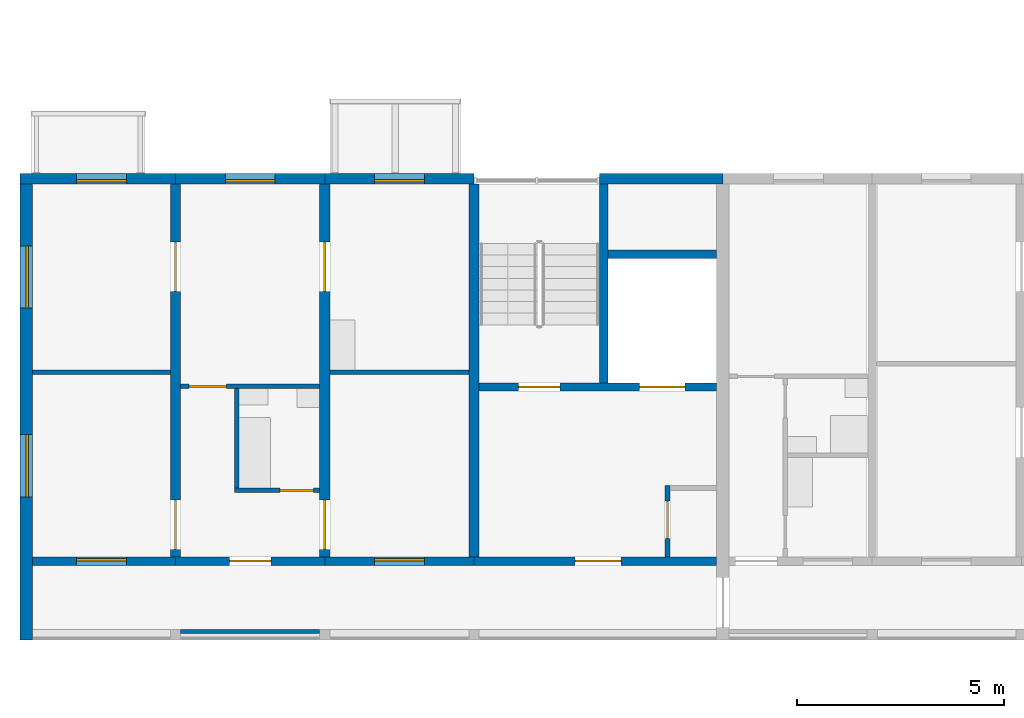
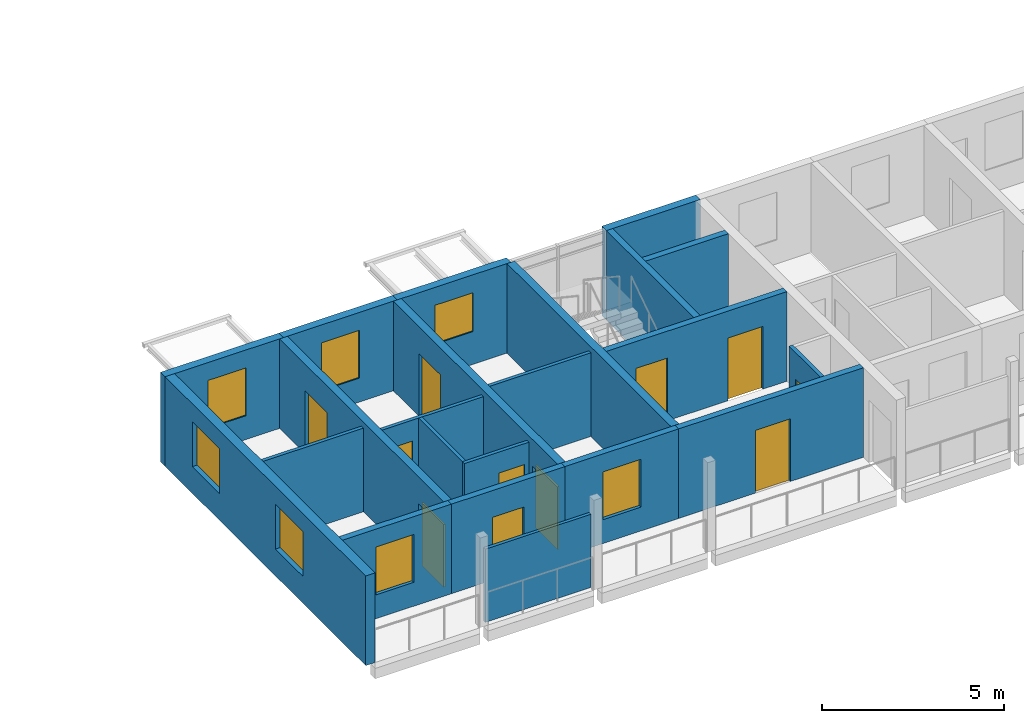
# One storey, part 30 of 100: 22 walls, 11 doors, 7 windows, 18 openings.
"""IFC4 building model written with IfcOpenShell, lengths in metres."""

from ifc_helpers import new_model, si_unit, direction, frame, frame_2d, origin, place, context, subcontext, project, spatial, rectangle, extrude, material, layer, layer_set, type_object, element, fill, save


model = new_model("IFC4")

# Units and contexts
model_context = context("Model", 3, precision=1e-05, world=origin(), true_north=direction((0.0, 1.0)))
body_context = subcontext(model_context, "Body", "Model", "MODEL_VIEW")
ifc_project = project(units=[si_unit("LENGTHUNIT", "METRE"), si_unit("AREAUNIT", "SQUARE_METRE"), si_unit("VOLUMEUNIT", "CUBIC_METRE"), si_unit("PLANEANGLEUNIT", "RADIAN"), si_unit("MASSUNIT", "GRAM", prefix="KILO")], contexts=[model_context])

# Site, building, storey
site_placement = place(None, origin())
site = spatial("IfcSite", under=ifc_project, at=site_placement, CompositionType="ELEMENT")
building_placement = place(site_placement, origin())
building = spatial("IfcBuilding", under=site, at=building_placement, Name="Ridgestep Commons", CompositionType="ELEMENT")
storey_placement = place(building_placement, frame((0.0, 0.0, 9.0)))
storey = spatial("IfcBuildingStorey", under=building, at=storey_placement, Name="L03", CompositionType="ELEMENT", Elevation=9.0)

# Wall
ifc_material_1 = material(Name="Concrete C30/37", Category="concrete")
ifc_layer_1 = layer(ifc_material_1, 0.25)
ifc_layer_set_1 = layer_set([ifc_layer_1], Name="Core cross wall 250")
wall_type_1 = type_object("IfcWallType", Name="Core cross wall 250", PredefinedType="SHEAR", material=ifc_layer_set_1)
wall_1_placement = place(storey_placement, frame((22.800048828125, 13.75, 0.0), z_axis=(0.0, 0.0, 1.0), x_axis=(0.0, 1.0, 0.0)))
element("IfcWall", 1, at=wall_1_placement, inside=storey, type_object=wall_type_1, Name="Cross wall A-03-0228", PredefinedType="SHEAR", context=body_context, shape_type="SweptSolid", body=[
    extrude(rectangle(XDim=9.0, YDim=0.25, at=frame_2d((4.5, 0.0))), origin(), (0.0, 0.0, 1.0), 3.0),
])

# Wall, opening, door
ifc_material_2 = material(Name="Concrete C30/37", Category="concrete")
ifc_layer_2 = layer(ifc_material_2, 0.199951171875)
ifc_layer_set_2 = layer_set([ifc_layer_2], Name="Core south wall 200")
wall_type_2 = type_object("IfcWallType", Name="Core south wall 200", PredefinedType="SHEAR", material=ifc_layer_set_2)
wall_2_placement = place(storey_placement, frame((22.800048828125, 13.64990234375, 0.0), z_axis=(0.0, 0.0, 1.0), x_axis=(1.0, 0.0, 0.0)))
wall_2 = element("IfcWall", 2, at=wall_2_placement, inside=storey, type_object=wall_type_2, Name="Core south wall A1C L03", PredefinedType="SHEAR", context=body_context, shape_type="SweptSolid", body=[
    extrude(rectangle(XDim=5.849853515625, YDim=0.199951171875, at=frame_2d((2.9248046875, 0.0))), origin(), (0.0, 0.0, 1.0), 3.0),
])
opening_1_placement = place(wall_2_placement, frame((2.4375, 0.0, 0.0)))
opening_1 = element("IfcOpeningElement", 3, at=opening_1_placement, cuts=wall_2, Name="Opening A1C/03/1", PredefinedType="OPENING", context=body_context, shape_type="SweptSolid", body=[
    extrude(rectangle(XDim=1.10009765625, YDim=2.10009765625, at=frame_2d((0.550048828125, 1.050048828125))), frame((0.0, 0.10986328125, 0.0), z_axis=(0.0, -1.0, 0.0), x_axis=(1.0, 0.0, 0.0)), (0.0, 0.0, 1.0), 0.219970703125),
])
ifc_material_3 = material(Name="Steel fire door", Category="steel")
door_type_1 = type_object("IfcDoorType", Name="Lobby door 1100 x 2100 FD60", OperationType="NOTDEFINED", PredefinedType="DOOR", material=ifc_material_3)
door_1_placement = place(opening_1_placement, origin())
door_1 = element("IfcDoor", 4, at=door_1_placement, inside=storey, type_object=door_type_1, Name="Lobby door A1C/03/1", OperationType="SINGLE_SWING_LEFT", OverallHeight=2.10009765625, OverallWidth=1.10009765625, PredefinedType="DOOR", context=body_context, shape_type="SweptSolid", body=[
    extrude(rectangle(XDim=1.10009765625, YDim=2.10009765625, at=frame_2d((0.550048828125, 1.050048828125))), frame((0.0, 0.02490234375, 0.0), z_axis=(0.0, -1.0, 0.0), x_axis=(1.0, 0.0, 0.0)), (0.0, 0.0, 1.0), 0.050048828125),
])
fill(opening_1, door_1)

ifc_material_4 = material(Name="Concrete C30/37", Category="concrete")
ifc_layer_3 = layer(ifc_material_4, 0.1201171875)
ifc_layer_set_3 = layer_set([ifc_layer_3], Name="Core wall 120")
wall_type_3 = type_object("IfcWallType", Name="Core wall 120", PredefinedType="SHEAR", material=ifc_layer_set_3)
wall_3_placement = place(storey_placement, frame((27.4599609375, 13.75, 0.0), z_axis=(0.0, 0.0, 1.0), x_axis=(0.0, 1.0, 0.0)))
wall_3 = element("IfcWall", 5, at=wall_3_placement, inside=storey, type_object=wall_type_3, Name="Core riser w wall A1C L03", PredefinedType="SHEAR", context=body_context, shape_type="SweptSolid", body=[
    extrude(rectangle(XDim=1.719970703125, YDim=0.1201171875, at=frame_2d((0.85986328125, 0.0))), origin(), (0.0, 0.0, 1.0), 3.0),
])
opening_2_placement = place(wall_3_placement, frame((0.449951171875, 0.0, 0.0)))
opening_2 = element("IfcOpeningElement", 6, at=opening_2_placement, cuts=wall_3, Name="Opening A1C/03/4", PredefinedType="OPENING", context=body_context, shape_type="SweptSolid", body=[
    extrude(rectangle(XDim=0.89990234375, YDim=2.10009765625, at=frame_2d((0.449951171875, 1.050048828125))), frame((0.0, 0.070068359375, 0.0), z_axis=(0.0, -1.0, 0.0), x_axis=(1.0, 0.0, 0.0)), (0.0, 0.0, 1.0), 0.14013671875),
])
ifc_material_5 = material(Name="Steel fire door", Category="steel")
door_type_2 = type_object("IfcDoorType", Name="Riser door 900 x 2100 FD60", OperationType="NOTDEFINED", PredefinedType="DOOR", material=ifc_material_5)
door_2_placement = place(opening_2_placement, origin())
door_2 = element("IfcDoor", 7, at=door_2_placement, inside=storey, type_object=door_type_2, Name="Riser door A1C/03/4", OperationType="SINGLE_SWING_LEFT", OverallHeight=2.10009765625, OverallWidth=0.89990234375, PredefinedType="DOOR", context=body_context, shape_type="SweptSolid", body=[
    extrude(rectangle(XDim=0.89990234375, YDim=2.10009765625, at=frame_2d((0.449951171875, 1.050048828125))), frame((0.0, 0.02490234375, 0.0), z_axis=(0.0, -1.0, 0.0), x_axis=(1.0, 0.0, 0.0)), (0.0, 0.0, 1.0), 0.050048828125),
])
fill(opening_2, door_2)

# Wall, openings, doors
ifc_material_6 = material(Name="Concrete C30/37", Category="concrete")
ifc_layer_4 = layer(ifc_material_6, 0.199951171875)
ifc_layer_set_4 = layer_set([ifc_layer_4], Name="Core wall 200")
wall_type_4 = type_object("IfcWallType", Name="Core wall 200", PredefinedType="SHEAR", material=ifc_layer_set_4)
wall_4_placement = place(storey_placement, frame((22.925048828125, 17.85009765625, 0.0), z_axis=(0.0, 0.0, 1.0), x_axis=(1.0, 0.0, 0.0)))
wall_4 = element("IfcWall", 8, at=wall_4_placement, inside=storey, type_object=wall_type_4, Name="Core lobby wall A1C L03", PredefinedType="SHEAR", context=body_context, shape_type="SweptSolid", body=[
    extrude(rectangle(XDim=5.724853515625, YDim=0.199951171875, at=frame_2d((2.8623046875, 0.0))), origin(), (0.0, 0.0, 1.0), 3.0),
])
opening_3_placement = place(wall_4_placement, frame((0.949951171875, 0.0, 0.0)))
opening_3 = element("IfcOpeningElement", 9, at=opening_3_placement, cuts=wall_4, Name="Opening A1C/03/2", PredefinedType="OPENING", context=body_context, shape_type="SweptSolid", body=[
    extrude(rectangle(XDim=1.0, YDim=2.10009765625, at=frame_2d((0.5, 1.050048828125))), frame((0.0, 0.10986328125, 0.0), z_axis=(0.0, -1.0, 0.0), x_axis=(1.0, 0.0, 0.0)), (0.0, 0.0, 1.0), 0.219970703125),
])
opening_4_placement = place(wall_4_placement, frame((3.862548828125, 0.0, 0.0)))
opening_4 = element("IfcOpeningElement", 10, at=opening_4_placement, cuts=wall_4, Name="Opening A1C/03/3", PredefinedType="OPENING", context=body_context, shape_type="SweptSolid", body=[
    extrude(rectangle(XDim=1.10009765625, YDim=2.10009765625, at=frame_2d((0.550048828125, 1.050048828125))), frame((0.0, 0.10986328125, 0.0), z_axis=(0.0, -1.0, 0.0), x_axis=(1.0, 0.0, 0.0)), (0.0, 0.0, 1.0), 0.219970703125),
])
ifc_material_7 = material(Name="Stainless steel", Category="steel")
door_type_3 = type_object("IfcDoorType", Name="Lift landing door 1100 x 2100 FD60", OperationType="DOUBLE_DOOR_SLIDING", PredefinedType="DOOR", material=ifc_material_7)
door_3_placement = place(opening_4_placement, origin())
door_3 = element("IfcDoor", 11, at=door_3_placement, inside=storey, type_object=door_type_3, Name="Landing door LD A1C L03", OperationType="DOUBLE_DOOR_SLIDING", OverallHeight=2.10009765625, OverallWidth=1.10009765625, PredefinedType="DOOR", context=body_context, shape_type="SweptSolid", body=[
    extrude(rectangle(XDim=1.10009765625, YDim=2.10009765625, at=frame_2d((0.550048828125, 1.050048828125))), frame((0.0, 0.02490234375, 0.0), z_axis=(0.0, -1.0, 0.0), x_axis=(1.0, 0.0, 0.0)), (0.0, 0.0, 1.0), 0.050048828125),
])
fill(opening_4, door_3)
ifc_material_8 = material(Name="Steel fire door", Category="steel")
door_type_4 = type_object("IfcDoorType", Name="Stair door 1000 x 2100 FD60", OperationType="NOTDEFINED", PredefinedType="DOOR", material=ifc_material_8)
door_4_placement = place(opening_3_placement, origin())
door_4 = element("IfcDoor", 12, at=door_4_placement, inside=storey, type_object=door_type_4, Name="Stair door A1C/03/2", OperationType="SINGLE_SWING_RIGHT", OverallHeight=2.10009765625, OverallWidth=1.0, PredefinedType="DOOR", context=body_context, shape_type="SweptSolid", body=[
    extrude(rectangle(XDim=1.0, YDim=2.10009765625, at=frame_2d((0.5, 1.050048828125))), frame((0.0, 0.02490234375, 0.0), z_axis=(0.0, -1.0, 0.0), x_axis=(1.0, 0.0, 0.0)), (0.0, 0.0, 1.0), 0.050048828125),
])
fill(opening_3, door_4)

# Walls
wall_5_placement = place(storey_placement, frame((25.925048828125, 17.949951171875, 0.0), z_axis=(0.0, 0.0, 1.0), x_axis=(0.0, 1.0, 0.0)))
element("IfcWall", 13, at=wall_5_placement, inside=storey, type_object=wall_type_4, Name="Core stair wall A1C L03", PredefinedType="SHEAR", context=body_context, shape_type="SweptSolid", body=[
    extrude(rectangle(XDim=4.800048828125, YDim=0.199951171875, at=frame_2d((2.39990234375, 0.0))), origin(), (0.0, 0.0, 1.0), 3.0),
])
wall_6_placement = place(storey_placement, frame((26.02490234375, 21.050048828125, 0.0), z_axis=(0.0, 0.0, 1.0), x_axis=(1.0, 0.0, 0.0)))
element("IfcWall", 14, at=wall_6_placement, inside=storey, type_object=wall_type_4, Name="Core duct wall A1C L03", PredefinedType="SHEAR", context=body_context, shape_type="SweptSolid", body=[
    extrude(rectangle(XDim=2.625, YDim=0.199951171875, at=frame_2d((1.3125, 0.0))), origin(), (0.0, 0.0, 1.0), 3.0),
])

# Wall, openings, doors
ifc_material_9 = material(Name="Precast concrete C40/50", Category="concrete")
ifc_layer_5 = layer(ifc_material_9, 0.25)
ifc_layer_set_5 = layer_set([ifc_layer_5], Name="Cross wall 250")
wall_type_5 = type_object("IfcWallType", Name="Cross wall 250", PredefinedType="SHEAR", material=ifc_layer_set_5)
wall_7_placement = place(storey_placement, frame((15.60009765625, 13.75, 0.0), z_axis=(0.0, 0.0, 1.0), x_axis=(0.0, 1.0, 0.0)))
wall_7 = element("IfcWall", 15, at=wall_7_placement, inside=storey, type_object=wall_type_5, Name="Cross wall A-03-0156", PredefinedType="SHEAR", context=body_context, shape_type="SweptSolid", body=[
    extrude(rectangle(XDim=9.0, YDim=0.25, at=frame_2d((4.5, 0.0))), origin(), (0.0, 0.0, 1.0), 3.0),
])
opening_5_placement = place(wall_7_placement, frame((0.175048828125, 0.0, 0.0)))
opening_5 = element("IfcOpeningElement", 16, at=opening_5_placement, cuts=wall_7, Name="Opening A1-03a/4", PredefinedType="OPENING", context=body_context, shape_type="SweptSolid", body=[
    extrude(rectangle(XDim=1.199951171875, YDim=2.10009765625, at=frame_2d((0.60009765625, 1.050048828125))), frame((0.0, 0.135009765625, 0.0), z_axis=(0.0, -1.0, 0.0), x_axis=(1.0, 0.0, 0.0)), (0.0, 0.0, 1.0), 0.27001953125),
])
opening_6_placement = place(wall_7_placement, frame((6.39990234375, 0.0, 0.0)))
opening_6 = element("IfcOpeningElement", 17, at=opening_6_placement, cuts=wall_7, Name="Opening A1-03a/5", PredefinedType="OPENING", context=body_context, shape_type="SweptSolid", body=[
    extrude(rectangle(XDim=1.199951171875, YDim=2.10009765625, at=frame_2d((0.60009765625, 1.050048828125))), frame((0.0, 0.135009765625, 0.0), z_axis=(0.0, -1.0, 0.0), x_axis=(1.0, 0.0, 0.0)), (0.0, 0.0, 1.0), 0.27001953125),
])
ifc_material_10 = material(Name="Timber door leaf", Category="wood")
door_type_5 = type_object("IfcDoorType", Name="Double door 1200 x 2100", OperationType="DOUBLE_DOOR_SINGLE_SWING", PredefinedType="DOOR", material=ifc_material_10)
door_5_placement = place(opening_5_placement, origin())
door_5 = element("IfcDoor", 18, at=door_5_placement, inside=storey, type_object=door_type_5, Name="Double door A1-03a/4", OperationType="DOUBLE_DOOR_SINGLE_SWING", OverallHeight=2.10009765625, OverallWidth=1.199951171875, PredefinedType="DOOR", context=body_context, shape_type="SweptSolid", body=[
    extrude(rectangle(XDim=1.199951171875, YDim=2.10009765625, at=frame_2d((0.60009765625, 1.050048828125))), frame((0.0, 0.02490234375, 0.0), z_axis=(0.0, -1.0, 0.0), x_axis=(1.0, 0.0, 0.0)), (0.0, 0.0, 1.0), 0.050048828125),
])
fill(opening_5, door_5)
door_6_placement = place(opening_6_placement, origin())
door_6 = element("IfcDoor", 19, at=door_6_placement, inside=storey, type_object=door_type_5, Name="Double door A1-03a/5", OperationType="DOUBLE_DOOR_SINGLE_SWING", OverallHeight=2.10009765625, OverallWidth=1.199951171875, PredefinedType="DOOR", context=body_context, shape_type="SweptSolid", body=[
    extrude(rectangle(XDim=1.199951171875, YDim=2.10009765625, at=frame_2d((0.60009765625, 1.050048828125))), frame((0.0, 0.02490234375, 0.0), z_axis=(0.0, -1.0, 0.0), x_axis=(1.0, 0.0, 0.0)), (0.0, 0.0, 1.0), 0.050048828125),
])
fill(opening_6, door_6)

wall_8_placement = place(storey_placement, frame((19.199951171875, 13.75, 0.0), z_axis=(0.0, 0.0, 1.0), x_axis=(0.0, 1.0, 0.0)))
wall_8 = element("IfcWall", 20, at=wall_8_placement, inside=storey, type_object=wall_type_5, Name="Cross wall A-03-0192", PredefinedType="SHEAR", context=body_context, shape_type="SweptSolid", body=[
    extrude(rectangle(XDim=9.0, YDim=0.25, at=frame_2d((4.5, 0.0))), origin(), (0.0, 0.0, 1.0), 3.0),
])
opening_7_placement = place(wall_8_placement, frame((0.175048828125, 0.0, 0.0)))
opening_7 = element("IfcOpeningElement", 21, at=opening_7_placement, cuts=wall_8, Name="Opening A1-03a/6", PredefinedType="OPENING", context=body_context, shape_type="SweptSolid", body=[
    extrude(rectangle(XDim=1.199951171875, YDim=2.10009765625, at=frame_2d((0.60009765625, 1.050048828125))), frame((0.0, 0.135009765625, 0.0), z_axis=(0.0, -1.0, 0.0), x_axis=(1.0, 0.0, 0.0)), (0.0, 0.0, 1.0), 0.27001953125),
])
opening_8_placement = place(wall_8_placement, frame((6.39990234375, 0.0, 0.0)))
opening_8 = element("IfcOpeningElement", 22, at=opening_8_placement, cuts=wall_8, Name="Opening A1-03a/7", PredefinedType="OPENING", context=body_context, shape_type="SweptSolid", body=[
    extrude(rectangle(XDim=1.199951171875, YDim=2.10009765625, at=frame_2d((0.60009765625, 1.050048828125))), frame((0.0, 0.135009765625, 0.0), z_axis=(0.0, -1.0, 0.0), x_axis=(1.0, 0.0, 0.0)), (0.0, 0.0, 1.0), 0.27001953125),
])
door_7_placement = place(opening_7_placement, origin())
door_7 = element("IfcDoor", 23, at=door_7_placement, inside=storey, type_object=door_type_5, Name="Double door A1-03a/6", OperationType="DOUBLE_DOOR_SINGLE_SWING", OverallHeight=2.10009765625, OverallWidth=1.199951171875, PredefinedType="DOOR", context=body_context, shape_type="SweptSolid", body=[
    extrude(rectangle(XDim=1.199951171875, YDim=2.10009765625, at=frame_2d((0.60009765625, 1.050048828125))), frame((0.0, 0.02490234375, 0.0), z_axis=(0.0, -1.0, 0.0), x_axis=(1.0, 0.0, 0.0)), (0.0, 0.0, 1.0), 0.050048828125),
])
fill(opening_7, door_7)
door_8_placement = place(opening_8_placement, origin())
door_8 = element("IfcDoor", 24, at=door_8_placement, inside=storey, type_object=door_type_5, Name="Double door A1-03a/7", OperationType="DOUBLE_DOOR_SINGLE_SWING", OverallHeight=2.10009765625, OverallWidth=1.199951171875, PredefinedType="DOOR", context=body_context, shape_type="SweptSolid", body=[
    extrude(rectangle(XDim=1.199951171875, YDim=2.10009765625, at=frame_2d((0.60009765625, 1.050048828125))), frame((0.0, 0.02490234375, 0.0), z_axis=(0.0, -1.0, 0.0), x_axis=(1.0, 0.0, 0.0)), (0.0, 0.0, 1.0), 0.050048828125),
])
fill(opening_8, door_8)

# Wall, openings, windows
ifc_material_11 = material(Name="Precast concrete C40/50", Category="concrete")
ifc_layer_6 = layer(ifc_material_11, 0.300048828125)
ifc_layer_set_6 = layer_set([ifc_layer_6], Name="Exposed division wall 300")
wall_type_6 = type_object("IfcWallType", Name="Exposed division wall 300", PredefinedType="SHEAR", material=ifc_layer_set_6)
wall_9_placement = place(storey_placement, frame((12.0, 11.75, 0.0), z_axis=(0.0, 0.0, 1.0), x_axis=(0.0, 1.0, 0.0)))
wall_9 = element("IfcWall", 25, at=wall_9_placement, inside=storey, type_object=wall_type_6, Name="Cross wall A-03-0120", PredefinedType="SHEAR", context=body_context, shape_type="SweptSolid", body=[
    extrude(rectangle(XDim=11.0, YDim=0.300048828125, at=frame_2d((5.5, 0.0))), origin(), (0.0, 0.0, 1.0), 3.0),
])
opening_9_placement = place(wall_9_placement, frame((3.449951171875, 0.0, 0.89990234375)))
opening_9 = element("IfcOpeningElement", 26, at=opening_9_placement, cuts=wall_9, Name="Opening W16", PredefinedType="OPENING", context=body_context, shape_type="SweptSolid", body=[
    extrude(rectangle(XDim=1.5, YDim=1.5, at=frame_2d((0.75, 0.75))), frame((0.0, 0.159912109375, 0.0), z_axis=(0.0, -1.0, 0.0), x_axis=(1.0, 0.0, 0.0)), (0.0, 0.0, 1.0), 0.320068359375),
])
opening_10_placement = place(wall_9_placement, frame((8.0048828125, 0.0, 0.89990234375)))
opening_10 = element("IfcOpeningElement", 27, at=opening_10_placement, cuts=wall_9, Name="Opening W16", PredefinedType="OPENING", context=body_context, shape_type="SweptSolid", body=[
    extrude(rectangle(XDim=1.5, YDim=1.5, at=frame_2d((0.75, 0.75))), frame((0.0, 0.159912109375, 0.0), z_axis=(0.0, -1.0, 0.0), x_axis=(1.0, 0.0, 0.0)), (0.0, 0.0, 1.0), 0.320068359375),
])
ifc_material_12 = material(Name="Aluminium 6063-T6 and glass", Category="aluminium")
window_type_1 = type_object("IfcWindowType", Name="Flat window 1500 x 1500", PartitioningType="DOUBLE_PANEL_VERTICAL", PredefinedType="WINDOW", material=ifc_material_12)
window_1_placement = place(opening_9_placement, origin())
window_1 = element("IfcWindow", 28, at=window_1_placement, inside=storey, type_object=window_type_1, Name="Window A1-03a 6", OverallHeight=1.5, OverallWidth=1.5, PartitioningType="SINGLE_PANEL", PredefinedType="WINDOW", context=body_context, shape_type="SweptSolid", body=[
    extrude(rectangle(XDim=1.5, YDim=1.5, at=frame_2d((0.75, 0.75))), frame((0.0, 0.0, 0.0), z_axis=(0.0, -1.0, 0.0), x_axis=(1.0, 0.0, 0.0)), (0.0, 0.0, 1.0), 0.06005859375),
])
fill(opening_9, window_1)
window_2_placement = place(opening_10_placement, origin())
window_2 = element("IfcWindow", 29, at=window_2_placement, inside=storey, type_object=window_type_1, Name="Window A1-03a 7", OverallHeight=1.5, OverallWidth=1.5, PartitioningType="SINGLE_PANEL", PredefinedType="WINDOW", context=body_context, shape_type="SweptSolid", body=[
    extrude(rectangle(XDim=1.5, YDim=1.5, at=frame_2d((0.75, 0.75))), frame((0.0, 0.0, 0.0), z_axis=(0.0, -1.0, 0.0), x_axis=(1.0, 0.0, 0.0)), (0.0, 0.0, 1.0), 0.06005859375),
])
fill(opening_10, window_2)

# Wall, opening, window
ifc_material_13 = material(Name="Precast concrete C40/50", Category="concrete")
ifc_layer_7 = layer(ifc_material_13, 0.25)
ifc_layer_set_7 = layer_set([ifc_layer_7], Name="North facade panel 250")
wall_type_7 = type_object("IfcWallType", Name="North facade panel 250", PredefinedType="SOLIDWALL", material=ifc_layer_set_7)
wall_10_placement = place(storey_placement, frame((11.85009765625, 22.875, 0.0), z_axis=(0.0, 0.0, 1.0), x_axis=(1.0, 0.0, 0.0)))
wall_10 = element("IfcWall", 30, at=wall_10_placement, inside=storey, type_object=wall_type_7, Name="North panel A1T1 L03", PredefinedType="SOLIDWALL", context=body_context, shape_type="SweptSolid", body=[
    extrude(rectangle(XDim=3.75, YDim=0.25, at=frame_2d((1.875, 0.0))), origin(), (0.0, 0.0, 1.0), 3.0),
])
opening_11_placement = place(wall_10_placement, frame((1.362548828125, 0.0, 0.800048828125)))
opening_11 = element("IfcOpeningElement", 31, at=opening_11_placement, cuts=wall_10, Name="Opening W11", PredefinedType="OPENING", context=body_context, shape_type="SweptSolid", body=[
    extrude(rectangle(XDim=1.199951171875, YDim=1.60009765625, at=frame_2d((0.60009765625, 0.800048828125))), frame((0.0, 0.135009765625, 0.0), z_axis=(0.0, -1.0, 0.0), x_axis=(1.0, 0.0, 0.0)), (0.0, 0.0, 1.0), 0.27001953125),
])
ifc_material_14 = material(Name="Aluminium 6063-T6 and glass", Category="aluminium")
window_type_2 = type_object("IfcWindowType", Name="Flat window 1200 x 1600", PartitioningType="SINGLE_PANEL", PredefinedType="WINDOW", material=ifc_material_14)
window_3_placement = place(opening_11_placement, origin())
window_3 = element("IfcWindow", 32, at=window_3_placement, inside=storey, type_object=window_type_2, Name="Window A1-03a 2", OverallHeight=1.60009765625, OverallWidth=1.199951171875, PartitioningType="SINGLE_PANEL", PredefinedType="WINDOW", context=body_context, shape_type="SweptSolid", body=[
    extrude(rectangle(XDim=1.199951171875, YDim=1.60009765625, at=frame_2d((0.60009765625, 0.800048828125))), frame((0.0, -0.02490234375, 0.0), z_axis=(0.0, -1.0, 0.0), x_axis=(1.0, 0.0, 0.0)), (0.0, 0.0, 1.0), 0.06005859375),
])
fill(opening_11, window_3)

wall_11_placement = place(storey_placement, frame((15.60009765625, 22.875, 0.0), z_axis=(0.0, 0.0, 1.0), x_axis=(1.0, 0.0, 0.0)))
wall_11 = element("IfcWall", 33, at=wall_11_placement, inside=storey, type_object=wall_type_7, Name="North panel A1T2 L03", PredefinedType="SOLIDWALL", context=body_context, shape_type="SweptSolid", body=[
    extrude(rectangle(XDim=3.599853515625, YDim=0.25, at=frame_2d((1.7998046875, 0.0))), origin(), (0.0, 0.0, 1.0), 3.0),
])
opening_12_placement = place(wall_11_placement, frame((1.199951171875, 0.0, 0.800048828125)))
opening_12 = element("IfcOpeningElement", 34, at=opening_12_placement, cuts=wall_11, Name="Opening W11", PredefinedType="OPENING", context=body_context, shape_type="SweptSolid", body=[
    extrude(rectangle(XDim=1.199951171875, YDim=1.60009765625, at=frame_2d((0.60009765625, 0.800048828125))), frame((0.0, 0.135009765625, 0.0), z_axis=(0.0, -1.0, 0.0), x_axis=(1.0, 0.0, 0.0)), (0.0, 0.0, 1.0), 0.27001953125),
])
window_4_placement = place(opening_12_placement, origin())
window_4 = element("IfcWindow", 35, at=window_4_placement, inside=storey, type_object=window_type_2, Name="Window A1-03a 5", OverallHeight=1.60009765625, OverallWidth=1.199951171875, PartitioningType="SINGLE_PANEL", PredefinedType="WINDOW", context=body_context, shape_type="SweptSolid", body=[
    extrude(rectangle(XDim=1.199951171875, YDim=1.60009765625, at=frame_2d((0.60009765625, 0.800048828125))), frame((0.0, -0.02490234375, 0.0), z_axis=(0.0, -1.0, 0.0), x_axis=(1.0, 0.0, 0.0)), (0.0, 0.0, 1.0), 0.06005859375),
])
fill(opening_12, window_4)

wall_12_placement = place(storey_placement, frame((19.199951171875, 22.875, 0.0), z_axis=(0.0, 0.0, 1.0), x_axis=(1.0, 0.0, 0.0)))
wall_12 = element("IfcWall", 36, at=wall_12_placement, inside=storey, type_object=wall_type_7, Name="North panel A1T3 L03", PredefinedType="SOLIDWALL", context=body_context, shape_type="SweptSolid", body=[
    extrude(rectangle(XDim=3.60009765625, YDim=0.25, at=frame_2d((1.800048828125, 0.0))), origin(), (0.0, 0.0, 1.0), 3.0),
])
opening_13_placement = place(wall_12_placement, frame((1.199951171875, 0.0, 1.10009765625)))
opening_13 = element("IfcOpeningElement", 37, at=opening_13_placement, cuts=wall_12, Name="Opening W08", PredefinedType="OPENING", context=body_context, shape_type="SweptSolid", body=[
    extrude(rectangle(XDim=1.199951171875, YDim=1.300048828125, at=frame_2d((0.60009765625, 0.64990234375))), frame((0.0, 0.135009765625, 0.0), z_axis=(0.0, -1.0, 0.0), x_axis=(1.0, 0.0, 0.0)), (0.0, 0.0, 1.0), 0.27001953125),
])
ifc_material_15 = material(Name="Aluminium 6063-T6 and glass", Category="aluminium")
window_type_3 = type_object("IfcWindowType", Name="Flat window 1200 x 1300", PartitioningType="SINGLE_PANEL", PredefinedType="WINDOW", material=ifc_material_15)
window_5_placement = place(opening_13_placement, origin())
window_5 = element("IfcWindow", 38, at=window_5_placement, inside=storey, type_object=window_type_3, Name="Window A1-03a 4", OverallHeight=1.300048828125, OverallWidth=1.199951171875, PartitioningType="SINGLE_PANEL", PredefinedType="WINDOW", context=body_context, shape_type="SweptSolid", body=[
    extrude(rectangle(XDim=1.199951171875, YDim=1.300048828125, at=frame_2d((0.60009765625, 0.64990234375))), frame((0.0, -0.02490234375, 0.0), z_axis=(0.0, -1.0, 0.0), x_axis=(1.0, 0.0, 0.0)), (0.0, 0.0, 1.0), 0.06005859375),
])
fill(opening_13, window_5)

# Wall
wall_13_placement = place(storey_placement, frame((25.824951171875, 22.875, 0.0), z_axis=(0.0, 0.0, 1.0), x_axis=(1.0, 0.0, 0.0)))
element("IfcWall", 39, at=wall_13_placement, inside=storey, type_object=wall_type_7, Name="North panel A1C L03", PredefinedType="SOLIDWALL", context=body_context, shape_type="SweptSolid", body=[
    extrude(rectangle(XDim=2.97509765625, YDim=0.25, at=frame_2d((1.487548828125, 0.0))), origin(), (0.0, 0.0, 1.0), 3.0),
])

# Wall, opening, door
ifc_material_16 = material(Name="Common brick 110 mm", Category="masonry")
ifc_layer_8 = layer(ifc_material_16, 0.110107421875)
ifc_layer_set_8 = layer_set([ifc_layer_8], Name="Partition 110")
wall_type_8 = type_object("IfcWallType", Name="Partition 110", PredefinedType="PARTITIONING", material=ifc_layer_set_8)
wall_14_placement = place(storey_placement, frame((17.02490234375, 15.35498046875, 0.0), z_axis=(0.0, 0.0, 1.0), x_axis=(1.0, 0.0, 0.0)))
wall_14 = element("IfcWall", 40, at=wall_14_placement, inside=storey, type_object=wall_type_8, Name="Partition A1-03a", PredefinedType="PARTITIONING", context=body_context, shape_type="SweptSolid", body=[
    extrude(rectangle(XDim=2.050048828125, YDim=0.110107421875, at=frame_2d((1.02490234375, 0.0))), origin(), (0.0, 0.0, 1.0), 2.800048828125),
])
opening_14_placement = place(wall_14_placement, frame((1.10009765625, 0.0, 0.0)))
opening_14 = element("IfcOpeningElement", 41, at=opening_14_placement, cuts=wall_14, Name="Opening A1-03a/2", PredefinedType="OPENING", context=body_context, shape_type="SweptSolid", body=[
    extrude(rectangle(XDim=0.800048828125, YDim=2.10009765625, at=frame_2d((0.39990234375, 1.050048828125))), frame((0.0, 0.06494140625, 0.0), z_axis=(0.0, -1.0, 0.0), x_axis=(1.0, 0.0, 0.0)), (0.0, 0.0, 1.0), 0.130126953125),
])
ifc_material_17 = material(Name="Timber door leaf", Category="wood")
door_type_6 = type_object("IfcDoorType", Name="Internal door 800 x 2100", OperationType="NOTDEFINED", PredefinedType="DOOR", material=ifc_material_17)
door_9_placement = place(opening_14_placement, origin())
door_9 = element("IfcDoor", 42, at=door_9_placement, inside=storey, type_object=door_type_6, Name="Internal door A1-03a/2", OperationType="SINGLE_SWING_RIGHT", OverallHeight=2.10009765625, OverallWidth=0.800048828125, PredefinedType="DOOR", context=body_context, shape_type="SweptSolid", body=[
    extrude(rectangle(XDim=0.800048828125, YDim=2.10009765625, at=frame_2d((0.39990234375, 1.050048828125))), frame((0.0, 0.02490234375, 0.0), z_axis=(0.0, -1.0, 0.0), x_axis=(1.0, 0.0, 0.0)), (0.0, 0.0, 1.0), 0.050048828125),
])
fill(opening_14, door_9)

# Wall
wall_15_placement = place(storey_placement, frame((17.080078125, 15.409912109375, 0.0), z_axis=(0.0, 0.0, 1.0), x_axis=(0.0, 1.0, 0.0)))
element("IfcWall", 43, at=wall_15_placement, inside=storey, type_object=wall_type_8, Name="Partition A1-03a", PredefinedType="PARTITIONING", context=body_context, shape_type="SweptSolid", body=[
    extrude(rectangle(XDim=2.400146484375, YDim=0.110107421875, at=frame_2d((1.2001953125, 0.0))), origin(), (0.0, 0.0, 1.0), 2.800048828125),
])

# Wall, opening, door
wall_16_placement = place(storey_placement, frame((15.72509765625, 17.864990234375, 0.0), z_axis=(0.0, 0.0, 1.0), x_axis=(1.0, 0.0, 0.0)))
wall_16 = element("IfcWall", 44, at=wall_16_placement, inside=storey, type_object=wall_type_8, Name="Partition A1-03a", PredefinedType="PARTITIONING", context=body_context, shape_type="SweptSolid", body=[
    extrude(rectangle(XDim=3.349853515625, YDim=0.110107421875, at=frame_2d((1.6748046875, 0.0))), origin(), (0.0, 0.0, 1.0), 2.800048828125),
])
opening_15_placement = place(wall_16_placement, frame((0.199951171875, 0.0, 0.0)))
opening_15 = element("IfcOpeningElement", 45, at=opening_15_placement, cuts=wall_16, Name="Opening A1-03a/3", PredefinedType="OPENING", context=body_context, shape_type="SweptSolid", body=[
    extrude(rectangle(XDim=0.89990234375, YDim=2.10009765625, at=frame_2d((0.449951171875, 1.050048828125))), frame((0.0, 0.06494140625, 0.0), z_axis=(0.0, -1.0, 0.0), x_axis=(1.0, 0.0, 0.0)), (0.0, 0.0, 1.0), 0.130126953125),
])
ifc_material_18 = material(Name="Timber door leaf", Category="wood")
door_type_7 = type_object("IfcDoorType", Name="Internal door 900 x 2100", OperationType="NOTDEFINED", PredefinedType="DOOR", material=ifc_material_18)
door_10_placement = place(opening_15_placement, origin())
door_10 = element("IfcDoor", 46, at=door_10_placement, inside=storey, type_object=door_type_7, Name="Internal door A1-03a/3", OperationType="SINGLE_SWING_RIGHT", OverallHeight=2.10009765625, OverallWidth=0.89990234375, PredefinedType="DOOR", context=body_context, shape_type="SweptSolid", body=[
    extrude(rectangle(XDim=0.89990234375, YDim=2.10009765625, at=frame_2d((0.449951171875, 1.050048828125))), frame((0.0, 0.02490234375, 0.0), z_axis=(0.0, -1.0, 0.0), x_axis=(1.0, 0.0, 0.0)), (0.0, 0.0, 1.0), 0.050048828125),
])
fill(opening_15, door_10)

# Walls
wall_17_placement = place(storey_placement, frame((12.14990234375, 18.205078125, 0.0), z_axis=(0.0, 0.0, 1.0), x_axis=(1.0, 0.0, 0.0)))
element("IfcWall", 47, at=wall_17_placement, inside=storey, type_object=wall_type_8, Name="Partition A1-03a", PredefinedType="PARTITIONING", context=body_context, shape_type="SweptSolid", body=[
    extrude(rectangle(XDim=3.3251953125, YDim=0.110107421875, at=frame_2d((1.66259765625, 0.0))), origin(), (0.0, 0.0, 1.0), 2.800048828125),
])
wall_18_placement = place(storey_placement, frame((19.324951171875, 18.205078125, 0.0), z_axis=(0.0, 0.0, 1.0), x_axis=(1.0, 0.0, 0.0)))
element("IfcWall", 48, at=wall_18_placement, inside=storey, type_object=wall_type_8, Name="Partition A1-03a", PredefinedType="PARTITIONING", context=body_context, shape_type="SweptSolid", body=[
    extrude(rectangle(XDim=3.35009765625, YDim=0.110107421875, at=frame_2d((1.675048828125, 0.0))), origin(), (0.0, 0.0, 1.0), 2.800048828125),
])
ifc_material_19 = material(Name="Precast concrete C30/37", Category="concrete")
ifc_layer_9 = layer(ifc_material_19, 0.10009765625)
ifc_layer_set_9 = layer_set([ifc_layer_9], Name="Perforated gallery screen 3350 x 2450 x 100")
wall_type_9 = type_object("IfcWallType", Name="Perforated gallery screen 3350 x 2450 x 100", PredefinedType="SOLIDWALL", material=ifc_layer_set_9)
wall_19_placement = place(storey_placement, frame((15.72509765625, 11.949951171875, 0.0), z_axis=(0.0, 0.0, 1.0), x_axis=(1.0, 0.0, 0.0)))
element("IfcWall", 49, at=wall_19_placement, inside=storey, type_object=wall_type_9, Name="Gallery screen A1T2 03", PredefinedType="SOLIDWALL", context=body_context, shape_type="SweptSolid", body=[
    extrude(rectangle(XDim=3.349853515625, YDim=0.10009765625, at=frame_2d((1.6748046875, 0.0))), origin(), (0.0, 0.0, 1.0), 2.449951171875),
])

# Wall, opening, window
ifc_material_20 = material(Name="Precast concrete C40/50", Category="concrete")
ifc_layer_10 = layer(ifc_material_20, 0.199951171875)
ifc_layer_set_10 = layer_set([ifc_layer_10], Name="South facade panel 200")
wall_type_10 = type_object("IfcWallType", Name="South facade panel 200", PredefinedType="SOLIDWALL", material=ifc_layer_set_10)
wall_20_placement = place(storey_placement, frame((12.14990234375, 13.64990234375, 0.0), z_axis=(0.0, 0.0, 1.0), x_axis=(1.0, 0.0, 0.0)))
wall_20 = element("IfcWall", 50, at=wall_20_placement, inside=storey, type_object=wall_type_10, Name="South panel A1T1 L03", PredefinedType="SOLIDWALL", context=body_context, shape_type="SweptSolid", body=[
    extrude(rectangle(XDim=3.4501953125, YDim=0.199951171875, at=frame_2d((1.72509765625, 0.0))), origin(), (0.0, 0.0, 1.0), 3.0),
])
opening_16_placement = place(wall_20_placement, frame((1.0625, 0.0, 0.800048828125)))
opening_16 = element("IfcOpeningElement", 51, at=opening_16_placement, cuts=wall_20, Name="Opening W11", PredefinedType="OPENING", context=body_context, shape_type="SweptSolid", body=[
    extrude(rectangle(XDim=1.199951171875, YDim=1.60009765625, at=frame_2d((0.60009765625, 0.800048828125))), frame((0.0, 0.10986328125, 0.0), z_axis=(0.0, -1.0, 0.0), x_axis=(1.0, 0.0, 0.0)), (0.0, 0.0, 1.0), 0.219970703125),
])
window_6_placement = place(opening_16_placement, origin())
window_6 = element("IfcWindow", 52, at=window_6_placement, inside=storey, type_object=window_type_2, Name="Window A1-03a 1", OverallHeight=1.60009765625, OverallWidth=1.199951171875, PartitioningType="SINGLE_PANEL", PredefinedType="WINDOW", context=body_context, shape_type="SweptSolid", body=[
    extrude(rectangle(XDim=1.199951171875, YDim=1.60009765625, at=frame_2d((0.60009765625, 0.800048828125))), frame((0.0, 0.06005859375, 0.0), z_axis=(0.0, -1.0, 0.0), x_axis=(1.0, 0.0, 0.0)), (0.0, 0.0, 1.0), 0.06005859375),
])
fill(opening_16, window_6)

# Wall, opening, door
wall_21_placement = place(storey_placement, frame((15.60009765625, 13.64990234375, 0.0), z_axis=(0.0, 0.0, 1.0), x_axis=(1.0, 0.0, 0.0)))
wall_21 = element("IfcWall", 53, at=wall_21_placement, inside=storey, type_object=wall_type_10, Name="South panel A1T2 L03", PredefinedType="SOLIDWALL", context=body_context, shape_type="SweptSolid", body=[
    extrude(rectangle(XDim=3.599853515625, YDim=0.199951171875, at=frame_2d((1.7998046875, 0.0))), origin(), (0.0, 0.0, 1.0), 3.0),
])
opening_17_placement = place(wall_21_placement, frame((1.300048828125, 0.0, 0.0)))
opening_17 = element("IfcOpeningElement", 54, at=opening_17_placement, cuts=wall_21, Name="Opening A1-03a/1", PredefinedType="OPENING", context=body_context, shape_type="SweptSolid", body=[
    extrude(rectangle(XDim=1.0, YDim=2.10009765625, at=frame_2d((0.5, 1.050048828125))), frame((0.0, 0.10986328125, 0.0), z_axis=(0.0, -1.0, 0.0), x_axis=(1.0, 0.0, 0.0)), (0.0, 0.0, 1.0), 0.219970703125),
])
ifc_material_21 = material(Name="Timber door leaf", Category="wood")
door_type_8 = type_object("IfcDoorType", Name="Flat entrance door 1000 x 2100 FD30S", OperationType="NOTDEFINED", PredefinedType="DOOR", material=ifc_material_21)
door_11_placement = place(opening_17_placement, origin())
door_11 = element("IfcDoor", 55, at=door_11_placement, inside=storey, type_object=door_type_8, Name="Flat entrance door A1-03a/1", OperationType="SINGLE_SWING_LEFT", OverallHeight=2.10009765625, OverallWidth=1.0, PredefinedType="DOOR", context=body_context, shape_type="SweptSolid", body=[
    extrude(rectangle(XDim=1.0, YDim=2.10009765625, at=frame_2d((0.5, 1.050048828125))), frame((0.0, 0.02490234375, 0.0), z_axis=(0.0, -1.0, 0.0), x_axis=(1.0, 0.0, 0.0)), (0.0, 0.0, 1.0), 0.050048828125),
])
fill(opening_17, door_11)

# Wall, opening, window
wall_22_placement = place(storey_placement, frame((19.199951171875, 13.64990234375, 0.0), z_axis=(0.0, 0.0, 1.0), x_axis=(1.0, 0.0, 0.0)))
wall_22 = element("IfcWall", 56, at=wall_22_placement, inside=storey, type_object=wall_type_10, Name="South panel A1T3 L03", PredefinedType="SOLIDWALL", context=body_context, shape_type="SweptSolid", body=[
    extrude(rectangle(XDim=3.60009765625, YDim=0.199951171875, at=frame_2d((1.800048828125, 0.0))), origin(), (0.0, 0.0, 1.0), 3.0),
])
opening_18_placement = place(wall_22_placement, frame((1.199951171875, 0.0, 0.800048828125)))
opening_18 = element("IfcOpeningElement", 57, at=opening_18_placement, cuts=wall_22, Name="Opening W11", PredefinedType="OPENING", context=body_context, shape_type="SweptSolid", body=[
    extrude(rectangle(XDim=1.199951171875, YDim=1.60009765625, at=frame_2d((0.60009765625, 0.800048828125))), frame((0.0, 0.10986328125, 0.0), z_axis=(0.0, -1.0, 0.0), x_axis=(1.0, 0.0, 0.0)), (0.0, 0.0, 1.0), 0.219970703125),
])
window_7_placement = place(opening_18_placement, origin())
window_7 = element("IfcWindow", 58, at=window_7_placement, inside=storey, type_object=window_type_2, Name="Window A1-03a 3", OverallHeight=1.60009765625, OverallWidth=1.199951171875, PartitioningType="SINGLE_PANEL", PredefinedType="WINDOW", context=body_context, shape_type="SweptSolid", body=[
    extrude(rectangle(XDim=1.199951171875, YDim=1.60009765625, at=frame_2d((0.60009765625, 0.800048828125))), frame((0.0, 0.06005859375, 0.0), z_axis=(0.0, -1.0, 0.0), x_axis=(1.0, 0.0, 0.0)), (0.0, 0.0, 1.0), 0.06005859375),
])
fill(opening_18, window_7)

save(model, "model.ifc")
